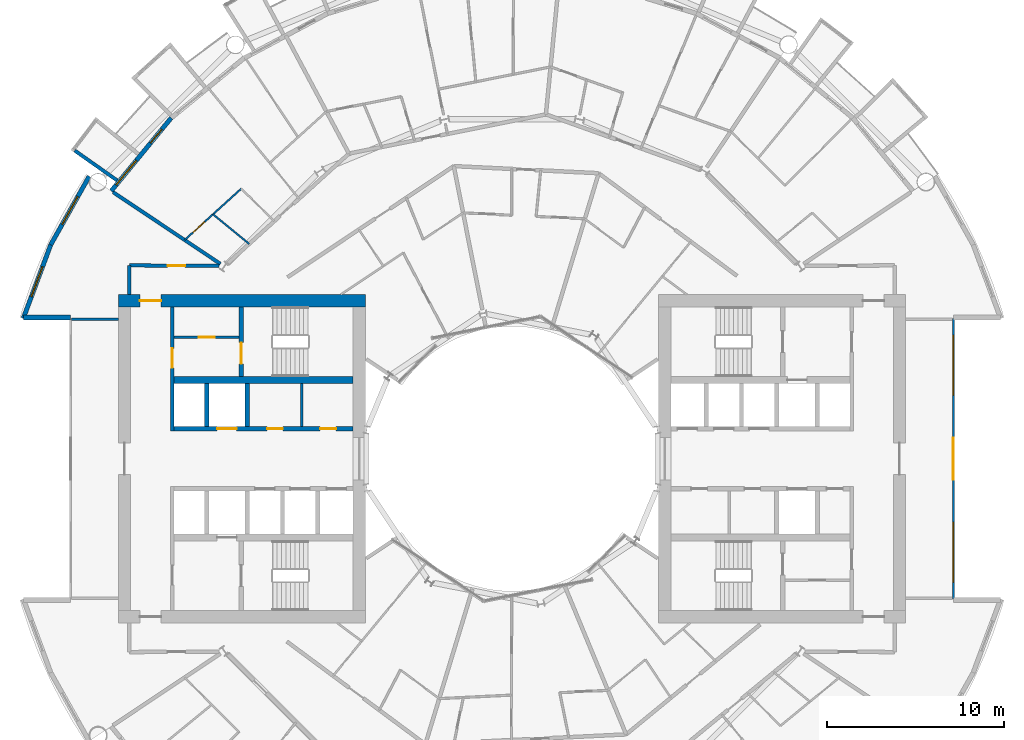
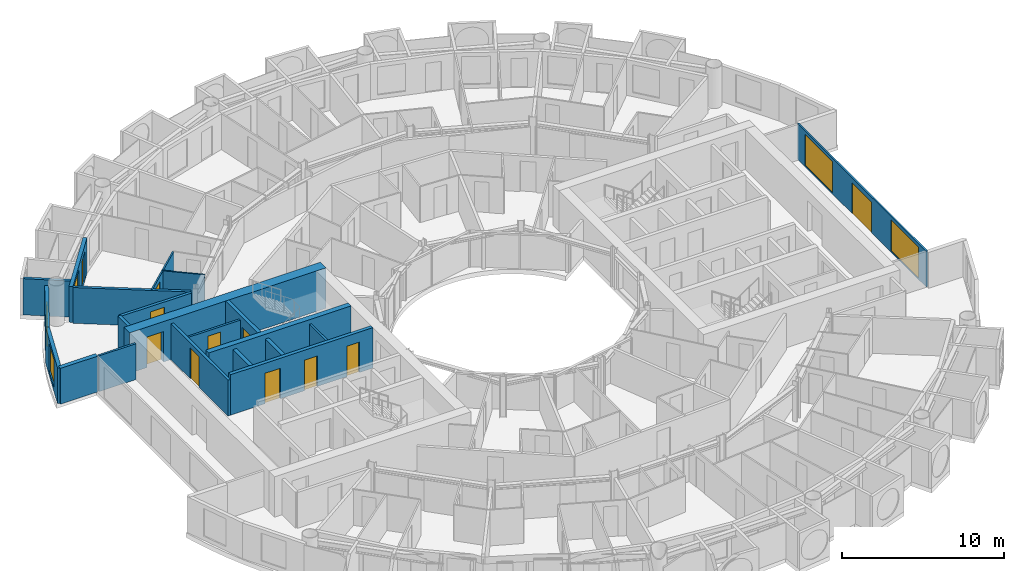
# One storey, part 18 of 26: 21 walls, 11 doors, 5 windows, 16 openings.
"""IFC4 building model written with IfcOpenShell, lengths in metres."""

from ifc_helpers import new_model, si_unit, direction, frame, frame_2d, origin, place, context, subcontext, project, spatial, rectangle, extrude, material, layer, layer_set, type_object, element, fill, save


model = new_model("IFC4")

# Units and contexts
model_context = context("Model", 3, precision=1e-05, world=origin(), true_north=direction((0.0, 1.0)))
body_context = subcontext(model_context, "Body", "Model", "MODEL_VIEW")
ifc_project = project(units=[si_unit("LENGTHUNIT", "METRE"), si_unit("AREAUNIT", "SQUARE_METRE"), si_unit("VOLUMEUNIT", "CUBIC_METRE"), si_unit("PLANEANGLEUNIT", "RADIAN"), si_unit("MASSUNIT", "GRAM", prefix="KILO")], contexts=[model_context])

# Site, building, storey
site_placement = place(None, origin())
site = spatial("IfcSite", under=ifc_project, at=site_placement, CompositionType="ELEMENT")
building_placement = place(site_placement, origin())
building = spatial("IfcBuilding", under=site, at=building_placement, Name="Maasbend Ring Residences", CompositionType="ELEMENT")
storey_placement = place(building_placement, frame((0.0, 0.0, 63.60009765625)))
storey = spatial("IfcBuildingStorey", under=building, at=storey_placement, Name="L17", CompositionType="ELEMENT", Elevation=63.60009765625)

# Wall, openings, doors
ifc_material_1 = material(Name="Concrete C70/85", Category="concrete")
ifc_layer_1 = layer(ifc_material_1, 0.25)
ifc_layer_set_1 = layer_set([ifc_layer_1], Name="Concrete C70/85")
wall_type_1 = type_object("IfcWallType", Name="CORE WALL 250 C70/85", PredefinedType="SHEAR", material=ifc_layer_set_1)
wall_1_placement = place(storey_placement, frame((-19.14990234375, 1.699951171875, 0.0), z_axis=(0.0, 0.0, 1.0), x_axis=(1.0, 0.0, 0.0)))
wall_1 = element("IfcWall", 1, at=wall_1_placement, inside=storey, type_object=wall_type_1, Name="L17 core W wall SPS", PredefinedType="SHEAR", context=body_context, shape_type="SweptSolid", body=[
    extrude(rectangle(XDim=10.14990234375, YDim=0.25, at=frame_2d((5.074951171875, 0.0))), origin(), (0.0, 0.0, 1.0), 3.0498046875),
])
opening_1_placement = place(wall_1_placement, frame((2.449951171875, 0.0, 0.0)))
opening_1 = element("IfcOpeningElement", 2, at=opening_1_placement, cuts=wall_1, Name="Opening LD-W1705", PredefinedType="OPENING", context=body_context, shape_type="SweptSolid", body=[
    extrude(rectangle(XDim=1.10009765625, YDim=2.300048828125, at=frame_2d((0.550048828125, 1.14990234375))), frame((0.0, 0.135009765625, 0.0), z_axis=(0.0, -1.0, 0.0), x_axis=(1.0, 0.0, 0.0)), (0.0, 0.0, 1.0), 0.27001953125),
])
opening_2_placement = place(wall_1_placement, frame((8.28759765625, 0.0, 0.0)))
opening_2 = element("IfcOpeningElement", 3, at=opening_2_placement, cuts=wall_1, Name="Opening D-W1706", PredefinedType="OPENING", context=body_context, shape_type="SweptSolid", body=[
    extrude(rectangle(XDim=0.89990234375, YDim=2.300048828125, at=frame_2d((0.449951171875, 1.14990234375))), frame((0.0, 0.135009765625, 0.0), z_axis=(0.0, -1.0, 0.0), x_axis=(1.0, 0.0, 0.0)), (0.0, 0.0, 1.0), 0.27001953125),
])
opening_3_placement = place(wall_1_placement, frame((5.27490234375, 0.0, 0.0)))
opening_3 = element("IfcOpeningElement", 4, at=opening_3_placement, cuts=wall_1, Name="Opening D-W1707", PredefinedType="OPENING", context=body_context, shape_type="SweptSolid", body=[
    extrude(rectangle(XDim=0.89990234375, YDim=2.300048828125, at=frame_2d((0.449951171875, 1.14990234375))), frame((0.0, 0.135009765625, 0.0), z_axis=(0.0, -1.0, 0.0), x_axis=(1.0, 0.0, 0.0)), (0.0, 0.0, 1.0), 0.27001953125),
])
ifc_material_2 = material(Name="Stainless steel 316", Category="steel")
door_type_1 = type_object("IfcDoorType", Name="LANDING DOOR 1100 X 2300 FD60", OperationType="DOUBLE_DOOR_SLIDING", PredefinedType="DOOR", material=ifc_material_2)
door_1_placement = place(opening_1_placement, origin())
door_1 = element("IfcDoor", 5, at=door_1_placement, inside=storey, type_object=door_type_1, Name="Landing door SV-W L17", OperationType="DOUBLE_DOOR_SLIDING", OverallHeight=2.300048828125, OverallWidth=1.10009765625, PredefinedType="DOOR", context=body_context, shape_type="SweptSolid", body=[
    extrude(rectangle(XDim=1.10009765625, YDim=2.300048828125, at=frame_2d((0.550048828125, 1.14990234375))), frame((0.0, 0.02490234375, 0.0), z_axis=(0.0, -1.0, 0.0), x_axis=(1.0, 0.0, 0.0)), (0.0, 0.0, 1.0), 0.050048828125),
])
fill(opening_1, door_1)
ifc_material_3 = material(Name="Steel, powder coated", Category="steel")
door_type_2 = type_object("IfcDoorType", Name="ROOM DOOR 900 X 2300 FD30S", OperationType="NOTDEFINED", PredefinedType="DOOR", material=ifc_material_3)
door_2_placement = place(opening_2_placement, origin())
door_2 = element("IfcDoor", 6, at=door_2_placement, inside=storey, type_object=door_type_2, Name="Room door L17", OperationType="SINGLE_SWING_LEFT", OverallHeight=2.300048828125, OverallWidth=0.89990234375, PredefinedType="DOOR", context=body_context, shape_type="SweptSolid", body=[
    extrude(rectangle(XDim=0.89990234375, YDim=2.300048828125, at=frame_2d((0.449951171875, 1.14990234375))), frame((0.0, 0.02490234375, 0.0), z_axis=(0.0, -1.0, 0.0), x_axis=(1.0, 0.0, 0.0)), (0.0, 0.0, 1.0), 0.050048828125),
])
fill(opening_2, door_2)
door_3_placement = place(opening_3_placement, origin())
door_3 = element("IfcDoor", 7, at=door_3_placement, inside=storey, type_object=door_type_2, Name="Room door L17", OperationType="SINGLE_SWING_LEFT", OverallHeight=2.300048828125, OverallWidth=0.89990234375, PredefinedType="DOOR", context=body_context, shape_type="SweptSolid", body=[
    extrude(rectangle(XDim=0.89990234375, YDim=2.300048828125, at=frame_2d((0.449951171875, 1.14990234375))), frame((0.0, 0.02490234375, 0.0), z_axis=(0.0, -1.0, 0.0), x_axis=(1.0, 0.0, 0.0)), (0.0, 0.0, 1.0), 0.050048828125),
])
fill(opening_3, door_3)

# Wall, opening, door
wall_2_placement = place(storey_placement, frame((-15.324951171875, 8.60009765625, 0.0), z_axis=(0.0, 0.0, 1.0), x_axis=(0.0, -1.0, 0.0)))
wall_2 = element("IfcWall", 8, at=wall_2_placement, inside=storey, type_object=wall_type_1, Name="L17 core W wall STES", PredefinedType="SHEAR", context=body_context, shape_type="SweptSolid", body=[
    extrude(rectangle(XDim=3.9501953125, YDim=0.25, at=frame_2d((1.97509765625, 0.0))), origin(), (0.0, 0.0, 1.0), 3.0498046875),
])
opening_4_placement = place(wall_2_placement, frame((2.02490234375, 0.0, 0.0)))
opening_4 = element("IfcOpeningElement", 9, at=opening_4_placement, cuts=wall_2, Name="Opening D-W1710", PredefinedType="OPENING", context=body_context, shape_type="SweptSolid", body=[
    extrude(rectangle(XDim=1.199951171875, YDim=2.300048828125, at=frame_2d((0.60009765625, 1.14990234375))), frame((0.0, 0.135009765625, 0.0), z_axis=(0.0, -1.0, 0.0), x_axis=(1.0, 0.0, 0.0)), (0.0, 0.0, 1.0), 0.27001953125),
])
ifc_material_4 = material(Name="Steel, powder coated", Category="steel")
door_type_3 = type_object("IfcDoorType", Name="STAIR DOOR 1200 X 2300 FD60", OperationType="NOTDEFINED", PredefinedType="DOOR", material=ifc_material_4)
door_4_placement = place(opening_4_placement, origin())
door_4 = element("IfcDoor", 10, at=door_4_placement, inside=storey, type_object=door_type_3, Name="Stair door ST-W L17", OperationType="SINGLE_SWING_LEFT", OverallHeight=2.300048828125, OverallWidth=1.199951171875, PredefinedType="DOOR", context=body_context, shape_type="SweptSolid", body=[
    extrude(rectangle(XDim=1.199951171875, YDim=2.300048828125, at=frame_2d((0.60009765625, 1.14990234375))), frame((0.0, 0.02490234375, 0.0), z_axis=(0.0, -1.0, 0.0), x_axis=(1.0, 0.0, 0.0)), (0.0, 0.0, 1.0), 0.050048828125),
])
fill(opening_4, door_4)

# Wall
ifc_material_5 = material(Name="Concrete C70/85", Category="concrete")
ifc_layer_2 = layer(ifc_material_5, 0.375)
ifc_layer_set_2 = layer_set([ifc_layer_2], Name="Concrete C70/85")
wall_type_2 = type_object("IfcWallType", Name="CORE WALL 375 C70/85", PredefinedType="SHEAR", material=ifc_layer_set_2)
wall_3_placement = place(storey_placement, frame((-9.0, 4.46240234375, 0.0), z_axis=(0.0, 0.0, 1.0), x_axis=(-1.0, 0.0, 0.0)))
element("IfcWall", 11, at=wall_3_placement, inside=storey, type_object=wall_type_2, Name="L17 core W wall BS", PredefinedType="SHEAR", context=body_context, shape_type="SweptSolid", body=[
    extrude(rectangle(XDim=10.14990234375, YDim=0.375, at=frame_2d((5.074951171875, 0.0))), origin(), (0.0, 0.0, 1.0), 3.0498046875),
])

# Wall, opening, door
ifc_material_6 = material(Name="Concrete C70/85", Category="concrete")
ifc_layer_3 = layer(ifc_material_6, 0.699951171875)
ifc_layer_set_3 = layer_set([ifc_layer_3], Name="Concrete C70/85")
wall_type_3 = type_object("IfcWallType", Name="CORE WALL 700 C70/85", PredefinedType="SHEAR", material=ifc_layer_set_3)
wall_4_placement = place(storey_placement, frame((-8.300048828125, 8.949951171875, 0.0), z_axis=(0.0, 0.0, 1.0), x_axis=(-1.0, 0.0, 0.0)))
wall_4 = element("IfcWall", 12, at=wall_4_placement, inside=storey, type_object=wall_type_3, Name="L17 core W wall PS", PredefinedType="SHEAR", context=body_context, shape_type="SweptSolid", body=[
    extrude(rectangle(XDim=14.0, YDim=0.699951171875, at=frame_2d((7.0, 0.0))), origin(), (0.0, 0.0, 1.0), 3.0498046875),
])
opening_5_placement = place(wall_4_placement, frame((11.574951171875, 0.0, 0.0)))
opening_5 = element("IfcOpeningElement", 13, at=opening_5_placement, cuts=wall_4, Name="Opening D-W1714", PredefinedType="OPENING", context=body_context, shape_type="SweptSolid", body=[
    extrude(rectangle(XDim=1.199951171875, YDim=2.300048828125, at=frame_2d((0.60009765625, 1.14990234375))), frame((0.0, 0.35986328125, 0.0), z_axis=(0.0, -1.0, 0.0), x_axis=(1.0, 0.0, 0.0)), (0.0, 0.0, 1.0), 0.719970703125),
])
ifc_material_7 = material(Name="Steel, powder coated", Category="steel")
door_type_4 = type_object("IfcDoorType", Name="CORRIDOR DOOR 1200 X 2300 FD30S", OperationType="NOTDEFINED", PredefinedType="DOOR", material=ifc_material_7)
door_5_placement = place(opening_5_placement, origin())
door_5 = element("IfcDoor", 14, at=door_5_placement, inside=storey, type_object=door_type_4, Name="Corridor door L17", OperationType="SINGLE_SWING_LEFT", OverallHeight=2.300048828125, OverallWidth=1.199951171875, PredefinedType="DOOR", context=body_context, shape_type="SweptSolid", body=[
    extrude(rectangle(XDim=1.199951171875, YDim=2.300048828125, at=frame_2d((0.60009765625, 1.14990234375))), frame((0.0, 0.02490234375, 0.0), z_axis=(0.0, -1.0, 0.0), x_axis=(1.0, 0.0, 0.0)), (0.0, 0.0, 1.0), 0.050048828125),
])
fill(opening_5, door_5)

ifc_material_8 = material(Name="Concrete C30/37", Category="concrete")
ifc_layer_4 = layer(ifc_material_8, 0.199951171875)
ifc_layer_set_4 = layer_set([ifc_layer_4], Name="Concrete C30/37")
wall_type_4 = type_object("IfcWallType", Name="CORRIDOR WALL 200 CONCRETE", PredefinedType="PARTITIONING", material=ifc_layer_set_4)
wall_5_placement = place(storey_placement, frame((-21.675048828125, 10.949951171875, 0.0), z_axis=(0.0, 0.0, 1.0), x_axis=(0.999988019025, -0.004895079807, 0.0)))
wall_5 = element("IfcWall", 15, at=wall_5_placement, inside=storey, type_object=wall_type_4, Name="U-L17-w093", PredefinedType="PARTITIONING", context=body_context, shape_type="SweptSolid", body=[
    extrude(rectangle(XDim=5.087158203125, YDim=0.199951171875, at=frame_2d((2.54345703125, 0.0))), origin(), (0.0, 0.0, 1.0), 2.699951171875),
])
opening_6_placement = place(wall_5_placement, frame((2.1630859375, 0.0, 0.0)))
opening_6 = element("IfcOpeningElement", 16, at=opening_6_placement, cuts=wall_5, Name="Opening D-1771", PredefinedType="OPENING", context=body_context, shape_type="SweptSolid", body=[
    extrude(rectangle(XDim=1.0, YDim=2.300048828125, at=frame_2d((0.5, 1.14990234375))), frame((0.0, 0.10986328125, 0.0), z_axis=(0.0, -1.0, 0.0), x_axis=(1.0, 0.0, 0.0)), (0.0, 0.0, 1.0), 0.219970703125),
])
ifc_material_9 = material(Name="Timber, painted", Category="wood")
door_type_5 = type_object("IfcDoorType", Name="ROOM DOOR 1000 X 2300", OperationType="NOTDEFINED", PredefinedType="DOOR", material=ifc_material_9)
door_6_placement = place(opening_6_placement, origin())
door_6 = element("IfcDoor", 17, at=door_6_placement, inside=storey, type_object=door_type_5, Name="D-1771", OperationType="SINGLE_SWING_RIGHT", OverallHeight=2.300048828125, OverallWidth=1.0, PredefinedType="DOOR", context=body_context, shape_type="SweptSolid", body=[
    extrude(rectangle(XDim=1.0, YDim=2.300048828125, at=frame_2d((0.5, 1.14990234375))), frame((0.0, 0.02490234375, 0.0), z_axis=(0.0, -1.0, 0.0), x_axis=(1.0, 0.0, 0.0)), (0.0, 0.0, 1.0), 0.050048828125),
])
fill(opening_6, door_6)

# Walls
wall_6_placement = place(storey_placement, frame((-21.675048828125, 9.300048828125, 0.0), z_axis=(0.0, 0.0, 1.0), x_axis=(0.0, 1.0, 0.0)))
element("IfcWall", 18, at=wall_6_placement, inside=storey, type_object=wall_type_4, Name="U-L17-w115", PredefinedType="PARTITIONING", context=body_context, shape_type="SweptSolid", body=[
    extrude(rectangle(XDim=1.64990234375, YDim=0.199951171875, at=frame_2d((0.824951171875, 0.0))), origin(), (0.0, 0.0, 1.0), 2.699951171875),
])
ifc_material_10 = material(Name="Pale anodised aluminium panel", Category="aluminium")
ifc_layer_5 = layer(ifc_material_10, 0.199951171875)
ifc_layer_set_5 = layer_set([ifc_layer_5], Name="EW-BOX")
wall_type_5 = type_object("IfcWallType", Name="EW-BOX", PredefinedType="SOLIDWALL", material=ifc_layer_set_5)
wall_7_placement = place(storey_placement, frame((-22.3701171875, 15.764892578125, -0.030029296875), z_axis=(0.0, 0.0, 1.0), x_axis=(-0.817256123454, 0.576274612209, 0.0)))
element("IfcWall", 19, at=wall_7_placement, inside=storey, type_object=wall_type_5, Name="Box side wall N20 right", PredefinedType="SOLIDWALL", context=body_context, shape_type="SweptSolid", body=[
    extrude(rectangle(XDim=2.932861328125, YDim=0.199951171875, at=frame_2d((1.46630859375, 0.0))), origin(), (0.0, 0.0, 1.0), 2.72998046875),
])

# Wall, openings, door, window
ifc_material_11 = material(Name="Aluminium clad insulated panel", Category="aluminium")
ifc_layer_6 = layer(ifc_material_11, 0.25)
ifc_layer_set_6 = layer_set([ifc_layer_6], Name="EW-GL")
wall_type_6 = type_object("IfcWallType", Name="EW-GL", PredefinedType="SOLIDWALL", material=ifc_layer_set_6)
wall_8_placement = place(storey_placement, frame((-19.303955078125, 19.303955078125, 0.0), z_axis=(0.0, 0.0, 1.0), x_axis=(-0.634382322723, -0.773019449054, 0.0)))
wall_8 = element("IfcWall", 20, at=wall_8_placement, inside=storey, type_object=wall_type_6, Name="External wall N10", PredefinedType="SOLIDWALL", context=body_context, shape_type="SweptSolid", body=[
    extrude(rectangle(XDim=5.351806640625, YDim=0.25, at=frame_2d((2.67578125, 0.0))), origin(), (0.0, 0.0, 1.0), 2.699951171875),
])
opening_7_placement = place(wall_8_placement, frame((0.841064453125, 0.0, 0.0)))
opening_7 = element("IfcOpeningElement", 21, at=opening_7_placement, cuts=wall_8, Name="Opening D-LG", PredefinedType="OPENING", context=body_context, shape_type="SweptSolid", body=[
    extrude(rectangle(XDim=1.0, YDim=2.199951171875, at=frame_2d((0.5, 1.10009765625))), frame((0.0, 0.135009765625, 0.0), z_axis=(0.0, -1.0, 0.0), x_axis=(1.0, 0.0, 0.0)), (0.0, 0.0, 1.0), 0.27001953125),
])
opening_8_placement = place(wall_8_placement, frame((3.110595703125, 0.0, 0.300048828125)))
opening_8 = element("IfcOpeningElement", 22, at=opening_8_placement, cuts=wall_8, Name="Opening W-BX", PredefinedType="OPENING", context=body_context, shape_type="SweptSolid", body=[
    extrude(rectangle(XDim=1.800048828125, YDim=2.10009765625, at=frame_2d((0.89990234375, 1.050048828125))), frame((0.0, 0.135009765625, 0.0), z_axis=(0.0, -1.0, 0.0), x_axis=(1.0, 0.0, 0.0)), (0.0, 0.0, 1.0), 0.27001953125),
])
ifc_material_12 = material(Name="Aluminium and clear glass", Category="aluminium")
door_type_6 = type_object("IfcDoorType", Name="D-LG", OperationType="SINGLE_SWING_LEFT", PredefinedType="DOOR", material=ifc_material_12)
door_7_placement = place(opening_7_placement, origin())
door_7 = element("IfcDoor", 23, at=door_7_placement, inside=storey, type_object=door_type_6, Name="Loggia door N19", OperationType="SINGLE_SWING_LEFT", OverallHeight=2.199951171875, OverallWidth=1.0, PredefinedType="DOOR", context=body_context, shape_type="SweptSolid", body=[
    extrude(rectangle(XDim=1.0, YDim=2.199951171875, at=frame_2d((0.5, 1.10009765625))), frame((0.0, 0.02490234375, 0.0), z_axis=(0.0, -1.0, 0.0), x_axis=(1.0, 0.0, 0.0)), (0.0, 0.0, 1.0), 0.050048828125),
])
fill(opening_7, door_7)
ifc_material_13 = material(Name="Aluminium and clear glass", Category="aluminium")
window_type_1 = type_object("IfcWindowType", Name="W-BX", PartitioningType="DOUBLE_PANEL_VERTICAL", PredefinedType="WINDOW", material=ifc_material_13)
window_1_placement = place(opening_8_placement, origin())
window_1 = element("IfcWindow", 24, at=window_1_placement, inside=storey, type_object=window_type_1, Name="Window N20 room to box", OverallHeight=2.10009765625, OverallWidth=1.800048828125, PartitioningType="SINGLE_PANEL", PredefinedType="WINDOW", context=body_context, shape_type="SweptSolid", body=[
    extrude(rectangle(XDim=1.800048828125, YDim=2.10009765625, at=frame_2d((0.89990234375, 1.050048828125))), frame((0.0, 0.030029296875, 0.0), z_axis=(0.0, -1.0, 0.0), x_axis=(1.0, 0.0, 0.0)), (0.0, 0.0, 1.0), 0.06005859375),
])
fill(opening_8, window_1)

# Wall, opening, window
ifc_material_14 = material(Name="Aluminium clad insulated panel", Category="aluminium")
ifc_layer_7 = layer(ifc_material_14, 0.25)
ifc_layer_set_7 = layer_set([ifc_layer_7], Name="EW-HORN")
wall_type_7 = type_object("IfcWallType", Name="EW-HORN", PredefinedType="SOLIDWALL", material=ifc_layer_set_7)
wall_9_placement = place(storey_placement, frame((-23.946044921875, 16.0, 0.0), z_axis=(0.0, 0.0, 1.0), x_axis=(-0.489696356642, -0.871893042919, 0.0)))
wall_9 = element("IfcWall", 25, at=wall_9_placement, inside=storey, type_object=wall_type_7, Name="Horn wall 4.1", PredefinedType="SOLIDWALL", context=body_context, shape_type="SweptSolid", body=[
    extrude(rectangle(XDim=4.45361328125, YDim=0.25, at=frame_2d((2.226806640625, 0.0))), origin(), (0.0, 0.0, 1.0), 2.699951171875),
])
opening_9_placement = place(wall_9_placement, frame((1.32666015625, 0.0, 0.300048828125)))
opening_9 = element("IfcOpeningElement", 26, at=opening_9_placement, cuts=wall_9, Name="Opening W-BX", PredefinedType="OPENING", context=body_context, shape_type="SweptSolid", body=[
    extrude(rectangle(XDim=1.800048828125, YDim=2.10009765625, at=frame_2d((0.89990234375, 1.050048828125))), frame((0.0, 0.135009765625, 0.0), z_axis=(0.0, -1.0, 0.0), x_axis=(1.0, 0.0, 0.0)), (0.0, 0.0, 1.0), 0.27001953125),
])
window_2_placement = place(opening_9_placement, origin())
window_2 = element("IfcWindow", 27, at=window_2_placement, inside=storey, type_object=window_type_1, Name="Horn window 4.1", OverallHeight=2.10009765625, OverallWidth=1.800048828125, PartitioningType="SINGLE_PANEL", PredefinedType="WINDOW", context=body_context, shape_type="SweptSolid", body=[
    extrude(rectangle(XDim=1.800048828125, YDim=2.10009765625, at=frame_2d((0.89990234375, 1.050048828125))), frame((0.0, 0.030029296875, 0.0), z_axis=(0.0, -1.0, 0.0), x_axis=(1.0, 0.0, 0.0)), (0.0, 0.0, 1.0), 0.06005859375),
])
fill(opening_9, window_2)

wall_10_placement = place(storey_placement, frame((-26.126953125, 12.116943359375, 0.0), z_axis=(0.0, 0.0, 1.0), x_axis=(-0.349247811493, -0.937030397675, 0.0)))
wall_10 = element("IfcWall", 28, at=wall_10_placement, inside=storey, type_object=wall_type_7, Name="Horn wall 4.2", PredefinedType="SOLIDWALL", context=body_context, shape_type="SweptSolid", body=[
    extrude(rectangle(XDim=4.4521484375, YDim=0.25, at=frame_2d((2.22607421875, 0.0))), origin(), (0.0, 0.0, 1.0), 2.699951171875),
])
opening_10_placement = place(wall_10_placement, frame((1.32666015625, 0.0, 0.300048828125)))
opening_10 = element("IfcOpeningElement", 29, at=opening_10_placement, cuts=wall_10, Name="Opening W-BX", PredefinedType="OPENING", context=body_context, shape_type="SweptSolid", body=[
    extrude(rectangle(XDim=1.800048828125, YDim=2.10009765625, at=frame_2d((0.89990234375, 1.050048828125))), frame((0.0, 0.135009765625, 0.0), z_axis=(0.0, -1.0, 0.0), x_axis=(1.0, 0.0, 0.0)), (0.0, 0.0, 1.0), 0.27001953125),
])
window_3_placement = place(opening_10_placement, origin())
window_3 = element("IfcWindow", 30, at=window_3_placement, inside=storey, type_object=window_type_1, Name="Horn window 4.2", OverallHeight=2.10009765625, OverallWidth=1.800048828125, PartitioningType="SINGLE_PANEL", PredefinedType="WINDOW", context=body_context, shape_type="SweptSolid", body=[
    extrude(rectangle(XDim=1.800048828125, YDim=2.10009765625, at=frame_2d((0.89990234375, 1.050048828125))), frame((0.0, 0.030029296875, 0.0), z_axis=(0.0, -1.0, 0.0), x_axis=(1.0, 0.0, 0.0)), (0.0, 0.0, 1.0), 0.06005859375),
])
fill(opening_10, window_3)

# Wall
ifc_material_15 = material(Name="Aluminium clad insulated panel", Category="aluminium")
ifc_layer_8 = layer(ifc_material_15, 0.300048828125)
ifc_layer_set_8 = layer_set([ifc_layer_8], Name="EW-RET")
wall_type_8 = type_object("IfcWallType", Name="EW-RET", PredefinedType="SOLIDWALL", material=ifc_layer_set_8)
wall_11_placement = place(storey_placement, frame((-25.0, 8.0, 0.0), z_axis=(0.0, 0.0, 1.0), x_axis=(-1.0, 0.0, 0.0)))
element("IfcWall", 31, at=wall_11_placement, inside=storey, type_object=wall_type_8, Name="Notch return wall west north", PredefinedType="SOLIDWALL", context=body_context, shape_type="SweptSolid", body=[
    extrude(rectangle(XDim=2.6669921875, YDim=0.300048828125, at=frame_2d((1.33349609375, 0.0))), origin(), (0.0, 0.0, 1.0), 2.699951171875),
])

# Wall, openings, door, windows
ifc_material_16 = material(Name="Aluminium frame and clear glass", Category="aluminium")
ifc_layer_9 = layer(ifc_material_16, 0.1201171875)
ifc_layer_set_9 = layer_set([ifc_layer_9], Name="GLAZED SCREEN WALL 120 EI 60")
wall_type_9 = type_object("IfcWallType", Name="GLAZED SCREEN WALL 120 EI 60", PredefinedType="PARTITIONING", material=ifc_layer_set_9)
wall_12_placement = place(storey_placement, frame((25.0, 7.949951171875, 0.0), z_axis=(0.0, 0.0, 1.0), x_axis=(0.0, -1.0, 0.0)))
wall_12 = element("IfcWall", 32, at=wall_12_placement, inside=storey, type_object=wall_type_9, Name="L17 core E wall FACE", PredefinedType="PARTITIONING", context=body_context, shape_type="SweptSolid", body=[
    extrude(rectangle(XDim=15.89990234375, YDim=0.1201171875, at=frame_2d((7.949951171875, 0.0))), origin(), (0.0, 0.0, 1.0), 2.699951171875),
])
opening_11_placement = place(wall_12_placement, frame((6.75, 0.0, 0.0)))
opening_11 = element("IfcOpeningElement", 33, at=opening_11_placement, cuts=wall_12, Name="Opening D-E1717", PredefinedType="OPENING", context=body_context, shape_type="SweptSolid", body=[
    extrude(rectangle(XDim=2.39990234375, YDim=2.300048828125, at=frame_2d((1.199951171875, 1.14990234375))), frame((0.0, 0.070068359375, 0.0), z_axis=(0.0, -1.0, 0.0), x_axis=(1.0, 0.0, 0.0)), (0.0, 0.0, 1.0), 0.14013671875),
])
opening_12_placement = place(wall_12_placement, frame((11.550048828125, 0.0, 0.10009765625)))
opening_12 = element("IfcOpeningElement", 34, at=opening_12_placement, cuts=wall_12, Name="Opening W-E1702", PredefinedType="OPENING", context=body_context, shape_type="SweptSolid", body=[
    extrude(rectangle(XDim=3.39990234375, YDim=2.35009765625, at=frame_2d((1.699951171875, 1.175048828125))), frame((0.0, 0.070068359375, 0.0), z_axis=(0.0, -1.0, 0.0), x_axis=(1.0, 0.0, 0.0)), (0.0, 0.0, 1.0), 0.14013671875),
])
opening_13_placement = place(wall_12_placement, frame((0.949951171875, 0.0, 0.10009765625)))
opening_13 = element("IfcOpeningElement", 35, at=opening_13_placement, cuts=wall_12, Name="Opening W-E1703", PredefinedType="OPENING", context=body_context, shape_type="SweptSolid", body=[
    extrude(rectangle(XDim=3.39990234375, YDim=2.35009765625, at=frame_2d((1.699951171875, 1.175048828125))), frame((0.0, 0.070068359375, 0.0), z_axis=(0.0, -1.0, 0.0), x_axis=(1.0, 0.0, 0.0)), (0.0, 0.0, 1.0), 0.14013671875),
])
ifc_material_17 = material(Name="Aluminium frame, clear glass", Category="aluminium")
door_type_7 = type_object("IfcDoorType", Name="ENTRANCE DOOR 2400 X 2300 FD60", OperationType="NOTDEFINED", PredefinedType="DOOR", material=ifc_material_17)
door_8_placement = place(opening_11_placement, origin())
door_8 = element("IfcDoor", 36, at=door_8_placement, inside=storey, type_object=door_type_7, Name="Lobby glazed door L17", OperationType="SINGLE_SWING_LEFT", OverallHeight=2.300048828125, OverallWidth=2.39990234375, PredefinedType="DOOR", context=body_context, shape_type="SweptSolid", body=[
    extrude(rectangle(XDim=2.39990234375, YDim=2.300048828125, at=frame_2d((1.199951171875, 1.14990234375))), frame((0.0, 0.02490234375, 0.0), z_axis=(0.0, -1.0, 0.0), x_axis=(1.0, 0.0, 0.0)), (0.0, 0.0, 1.0), 0.050048828125),
])
fill(opening_11, door_8)
ifc_material_18 = material(Name="Aluminium frame and clear glass", Category="aluminium")
window_type_2 = type_object("IfcWindowType", Name="FIXED WINDOW 3400 X 2350", PartitioningType="SINGLE_PANEL", PredefinedType="WINDOW", material=ifc_material_18)
window_4_placement = place(opening_12_placement, origin())
window_4 = element("IfcWindow", 37, at=window_4_placement, inside=storey, type_object=window_type_2, Name="Lobby window L17", OverallHeight=2.35009765625, OverallWidth=3.39990234375, PartitioningType="SINGLE_PANEL", PredefinedType="WINDOW", context=body_context, shape_type="SweptSolid", body=[
    extrude(rectangle(XDim=3.39990234375, YDim=2.35009765625, at=frame_2d((1.699951171875, 1.175048828125))), frame((0.0, 0.030029296875, 0.0), z_axis=(0.0, -1.0, 0.0), x_axis=(1.0, 0.0, 0.0)), (0.0, 0.0, 1.0), 0.06005859375),
])
fill(opening_12, window_4)
window_5_placement = place(opening_13_placement, origin())
window_5 = element("IfcWindow", 38, at=window_5_placement, inside=storey, type_object=window_type_2, Name="Lobby window L17", OverallHeight=2.35009765625, OverallWidth=3.39990234375, PartitioningType="SINGLE_PANEL", PredefinedType="WINDOW", context=body_context, shape_type="SweptSolid", body=[
    extrude(rectangle(XDim=3.39990234375, YDim=2.35009765625, at=frame_2d((1.699951171875, 1.175048828125))), frame((0.0, 0.030029296875, 0.0), z_axis=(0.0, -1.0, 0.0), x_axis=(1.0, 0.0, 0.0)), (0.0, 0.0, 1.0), 0.06005859375),
])
fill(opening_13, window_5)

# Wall
ifc_material_19 = material(Name="Gypsum board on steel studs", Category="steel")
ifc_layer_10 = layer(ifc_material_19, 0.10009765625)
ifc_layer_set_10 = layer_set([ifc_layer_10], Name="PARTITION 100 GYPSUM")
wall_type_10 = type_object("IfcWallType", Name="PARTITION 100 GYPSUM", PredefinedType="PARTITIONING", material=ifc_layer_set_10)
wall_13_placement = place(storey_placement, frame((-16.93603515625, 13.844970703125, 0.0), z_axis=(0.0, 0.0, 1.0), x_axis=(0.774162545943, -0.632986850147, 0.0)))
element("IfcWall", 39, at=wall_13_placement, inside=storey, type_object=wall_type_10, Name="U-L17-w034", PredefinedType="PARTITIONING", context=body_context, shape_type="SweptSolid", body=[
    extrude(rectangle(XDim=2.6494140625, YDim=0.10009765625, at=frame_2d((1.32470703125, 0.0))), origin(), (0.0, 0.0, 1.0), 2.699951171875),
])

# Wall, opening, door
wall_14_placement = place(storey_placement, frame((-18.5400390625, 12.39208984375, 0.0), z_axis=(0.0, 0.0, 1.0), x_axis=(0.741109646243, 0.671384012504, 0.0)))
wall_14 = element("IfcWall", 40, at=wall_14_placement, inside=storey, type_object=wall_type_10, Name="U-L17-w110", PredefinedType="PARTITIONING", context=body_context, shape_type="SweptSolid", body=[
    extrude(rectangle(XDim=4.331298828125, YDim=0.10009765625, at=frame_2d((2.16552734375, 0.0))), origin(), (0.0, 0.0, 1.0), 2.699951171875),
])
opening_14_placement = place(wall_14_placement, frame((0.62890625, 0.0, 0.0)))
opening_14 = element("IfcOpeningElement", 41, at=opening_14_placement, cuts=wall_14, Name="Opening D-1719", PredefinedType="OPENING", context=body_context, shape_type="SweptSolid", body=[
    extrude(rectangle(XDim=0.89990234375, YDim=2.300048828125, at=frame_2d((0.449951171875, 1.14990234375))), frame((0.0, 0.06005859375, 0.0), z_axis=(0.0, -1.0, 0.0), x_axis=(1.0, 0.0, 0.0)), (0.0, 0.0, 1.0), 0.1201171875),
])
ifc_material_20 = material(Name="Timber, painted", Category="wood")
door_type_8 = type_object("IfcDoorType", Name="INTERNAL DOOR 900 X 2300", OperationType="NOTDEFINED", PredefinedType="DOOR", material=ifc_material_20)
door_9_placement = place(opening_14_placement, origin())
door_9 = element("IfcDoor", 42, at=door_9_placement, inside=storey, type_object=door_type_8, Name="D-1719", OperationType="SINGLE_SWING_LEFT", OverallHeight=2.300048828125, OverallWidth=0.89990234375, PredefinedType="DOOR", context=body_context, shape_type="SweptSolid", body=[
    extrude(rectangle(XDim=0.89990234375, YDim=2.300048828125, at=frame_2d((0.449951171875, 1.14990234375))), frame((0.0, 0.02490234375, 0.0), z_axis=(0.0, -1.0, 0.0), x_axis=(1.0, 0.0, 0.0)), (0.0, 0.0, 1.0), 0.050048828125),
])
fill(opening_14, door_9)

# Wall
ifc_material_21 = material(Name="Gypsum board on steel studs", Category="steel")
ifc_layer_11 = layer(ifc_material_21, 0.14990234375)
ifc_layer_set_11 = layer_set([ifc_layer_11], Name="PARTITION 150 EI 60")
wall_type_11 = type_object("IfcWallType", Name="PARTITION 150 EI 60", PredefinedType="PARTITIONING", material=ifc_layer_set_11)
wall_15_placement = place(storey_placement, frame((-11.89990234375, 1.824951171875, 0.0), z_axis=(0.0, 0.0, 1.0), x_axis=(0.0, 1.0, 0.0)))
element("IfcWall", 43, at=wall_15_placement, inside=storey, type_object=wall_type_11, Name="L17 core W wall PRS1190", PredefinedType="PARTITIONING", context=body_context, shape_type="SweptSolid", body=[
    extrude(rectangle(XDim=2.449951171875, YDim=0.14990234375, at=frame_2d((1.22509765625, 0.0))), origin(), (0.0, 0.0, 1.0), 2.699951171875),
])

# Wall, opening, door
wall_16_placement = place(storey_placement, frame((-15.449951171875, 6.875, 0.0), z_axis=(0.0, 0.0, 1.0), x_axis=(-1.0, 0.0, 0.0)))
wall_16 = element("IfcWall", 44, at=wall_16_placement, inside=storey, type_object=wall_type_11, Name="L17 core W wall RHS", PredefinedType="PARTITIONING", context=body_context, shape_type="SweptSolid", body=[
    extrude(rectangle(XDim=3.699951171875, YDim=0.14990234375, at=frame_2d((1.85009765625, 0.0))), origin(), (0.0, 0.0, 1.0), 2.699951171875),
])
opening_15_placement = place(wall_16_placement, frame((1.39990234375, 0.0, 0.0)))
opening_15 = element("IfcOpeningElement", 45, at=opening_15_placement, cuts=wall_16, Name="Opening D-W1708", PredefinedType="OPENING", context=body_context, shape_type="SweptSolid", body=[
    extrude(rectangle(XDim=0.89990234375, YDim=2.300048828125, at=frame_2d((0.449951171875, 1.14990234375))), frame((0.0, 0.0849609375, 0.0), z_axis=(0.0, -1.0, 0.0), x_axis=(1.0, 0.0, 0.0)), (0.0, 0.0, 1.0), 0.169921875),
])
ifc_material_22 = material(Name="Steel, powder coated", Category="steel")
door_type_9 = type_object("IfcDoorType", Name="RISER DOOR 900 X 2300 FD60", OperationType="NOTDEFINED", PredefinedType="DOOR", material=ifc_material_22)
door_10_placement = place(opening_15_placement, origin())
door_10 = element("IfcDoor", 46, at=door_10_placement, inside=storey, type_object=door_type_9, Name="Riser door L17", OperationType="SINGLE_SWING_LEFT", OverallHeight=2.300048828125, OverallWidth=0.89990234375, PredefinedType="DOOR", context=body_context, shape_type="SweptSolid", body=[
    extrude(rectangle(XDim=0.89990234375, YDim=2.300048828125, at=frame_2d((0.449951171875, 1.14990234375))), frame((0.0, 0.02490234375, 0.0), z_axis=(0.0, -1.0, 0.0), x_axis=(1.0, 0.0, 0.0)), (0.0, 0.0, 1.0), 0.050048828125),
])
fill(opening_15, door_10)

# Walls
wall_17_placement = place(storey_placement, frame((-22.300048828125, 7.89990234375, 0.0), z_axis=(0.0, 0.0, 1.0), x_axis=(-1.0, 0.0, 0.0)))
element("IfcWall", 47, at=wall_17_placement, inside=storey, type_object=wall_type_11, Name="L17 core W wall CITS", PredefinedType="PARTITIONING", context=body_context, shape_type="SweptSolid", body=[
    extrude(rectangle(XDim=2.639892578125, YDim=0.14990234375, at=frame_2d((1.31982421875, 0.0))), origin(), (0.0, 0.0, 1.0), 2.699951171875),
])
ifc_material_23 = material(Name="Concrete C30/37", Category="concrete")
ifc_layer_12 = layer(ifc_material_23, 0.199951171875)
ifc_layer_set_12 = layer_set([ifc_layer_12], Name="Concrete C30/37")
wall_type_12 = type_object("IfcWallType", Name="PARTY WALL 200 CONCRETE", PredefinedType="PARTITIONING", material=ifc_layer_set_12)
wall_18_placement = place(storey_placement, frame((-22.594970703125, 15.097900390625, 0.0), z_axis=(0.0, 0.0, 1.0), x_axis=(0.831382022135, -0.555701298605, 0.0)))
element("IfcWall", 48, at=wall_18_placement, inside=storey, type_object=wall_type_12, Name="U-L17-w030", PredefinedType="PARTITIONING", context=body_context, shape_type="SweptSolid", body=[
    extrude(rectangle(XDim=7.313232421875, YDim=0.199951171875, at=frame_2d((3.65673828125, 0.0))), origin(), (0.0, 0.0, 1.0), 2.699951171875),
])

# Wall, opening, door
ifc_material_24 = material(Name="Concrete C30/37", Category="concrete")
ifc_layer_13 = layer(ifc_material_24, 0.199951171875)
ifc_layer_set_13 = layer_set([ifc_layer_13], Name="Concrete C30/37")
wall_type_13 = type_object("IfcWallType", Name="SHAFT WALL 200 EI 120", PredefinedType="SOLIDWALL", material=ifc_layer_set_13)
wall_19_placement = place(storey_placement, frame((-19.25, 8.60009765625, 0.0), z_axis=(0.0, 0.0, 1.0), x_axis=(0.0, -1.0, 0.0)))
wall_19 = element("IfcWall", 49, at=wall_19_placement, inside=storey, type_object=wall_type_13, Name="L17 core W wall ENDS", PredefinedType="SOLIDWALL", context=body_context, shape_type="SweptSolid", body=[
    extrude(rectangle(XDim=7.025146484375, YDim=0.199951171875, at=frame_2d((3.5126953125, 0.0))), origin(), (0.0, 0.0, 1.0), 2.699951171875),
])
opening_16_placement = place(wall_19_placement, frame((2.35009765625, 0.0, 0.0)))
opening_16 = element("IfcOpeningElement", 50, at=opening_16_placement, cuts=wall_19, Name="Opening D-W1712", PredefinedType="OPENING", context=body_context, shape_type="SweptSolid", body=[
    extrude(rectangle(XDim=1.10009765625, YDim=2.300048828125, at=frame_2d((0.550048828125, 1.14990234375))), frame((0.0, 0.10986328125, 0.0), z_axis=(0.0, -1.0, 0.0), x_axis=(1.0, 0.0, 0.0)), (0.0, 0.0, 1.0), 0.219970703125),
])
ifc_material_25 = material(Name="Steel, powder coated", Category="steel")
door_type_10 = type_object("IfcDoorType", Name="LOBBY DOOR 1100 X 2300 FD60", OperationType="NOTDEFINED", PredefinedType="DOOR", material=ifc_material_25)
door_11_placement = place(opening_16_placement, origin())
door_11 = element("IfcDoor", 51, at=door_11_placement, inside=storey, type_object=door_type_10, Name="Lobby door L17", OperationType="SINGLE_SWING_RIGHT", OverallHeight=2.300048828125, OverallWidth=1.10009765625, PredefinedType="DOOR", context=body_context, shape_type="SweptSolid", body=[
    extrude(rectangle(XDim=1.10009765625, YDim=2.300048828125, at=frame_2d((0.550048828125, 1.14990234375))), frame((0.0, 0.02490234375, 0.0), z_axis=(0.0, -1.0, 0.0), x_axis=(1.0, 0.0, 0.0)), (0.0, 0.0, 1.0), 0.050048828125),
])
fill(opening_16, door_11)

# Walls
ifc_material_26 = material(Name="Concrete C30/37", Category="concrete")
ifc_layer_14 = layer(ifc_material_26, 0.25)
ifc_layer_set_14 = layer_set([ifc_layer_14], Name="Concrete C30/37")
wall_type_14 = type_object("IfcWallType", Name="SHAFT WALL 250 EI 120", PredefinedType="SOLIDWALL", material=ifc_layer_set_14)
for number, where, z_axis, x_axis, name in (
    (52, (-15.0, 1.824951171875, 0.0), (0.0, 0.0, 1.0), (0.0, 1.0, 0.0), "L17 core W wall D150S"),
    (53, (-17.300048828125, 1.824951171875, 0.0), (0.0, 0.0, 1.0), (0.0, 1.0, 0.0), "L17 core W wall D173S"),
):
    element("IfcWall", number, at=place(storey_placement, frame(where, z_axis=z_axis, x_axis=x_axis)), inside=storey, type_object=wall_type_14, Name=name, PredefinedType="SOLIDWALL", context=body_context, shape_type="SweptSolid", body=[
        extrude(rectangle(XDim=2.449951171875, YDim=0.25, at=frame_2d((1.22509765625, 0.0))), origin(), (0.0, 0.0, 1.0), 2.699951171875),
    ])

save(model, "model.ifc")
